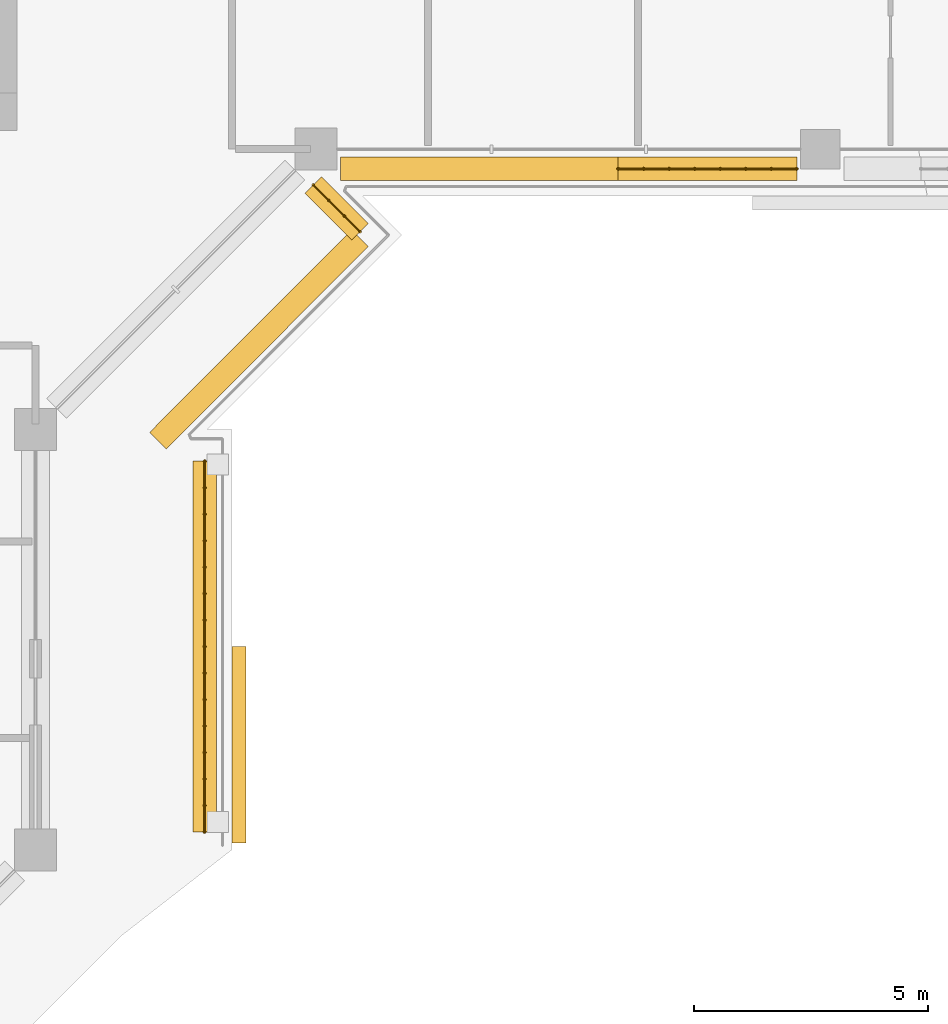
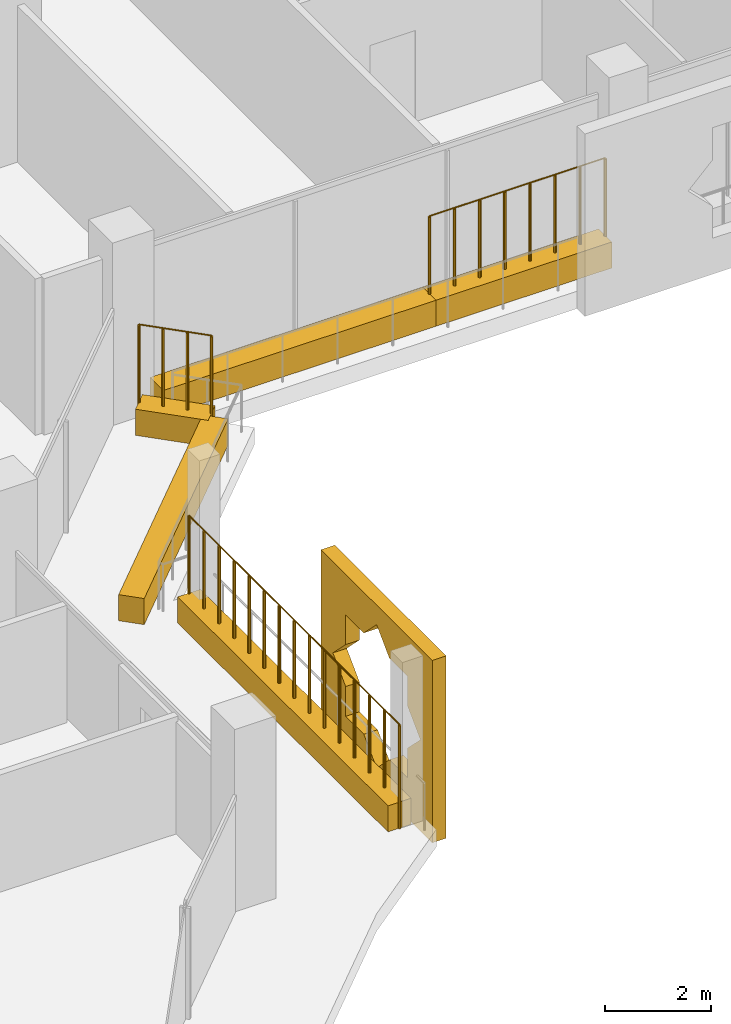
# One storey, part 16 of 21: 6 coverings, 3 railings.
"""IFC4 building model written with IfcOpenShell, lengths in metres."""

from ifc_helpers import new_model, si_unit, direction, frame, origin, origin_2d, place, context, subcontext, project, spatial, polyline, rectangle, circle, outline, extrude, material, material_profile, profile_set, type_object, element, save


model = new_model("IFC4")

# Units and contexts
model_context = context("Model", 3, precision=1e-05, world=origin(), true_north=direction((0.0, 1.0)))
body_context = subcontext(model_context, "Body", "Model", "MODEL_VIEW")
ifc_project = project(units=[si_unit("LENGTHUNIT", "METRE"), si_unit("AREAUNIT", "SQUARE_METRE"), si_unit("VOLUMEUNIT", "CUBIC_METRE"), si_unit("PLANEANGLEUNIT", "RADIAN"), si_unit("MASSUNIT", "GRAM", prefix="KILO")], contexts=[model_context])

# Site, building, storey
site_placement = place(None, origin())
site = spatial("IfcSite", under=ifc_project, at=site_placement, CompositionType="ELEMENT")
building_placement = place(site_placement, origin())
building = spatial("IfcBuilding", under=site, at=building_placement, Name="Kawkab Arch Medical Tower", CompositionType="ELEMENT")
storey_placement = place(building_placement, frame((0.0, 0.0, 260.0)))
storey = spatial("IfcBuildingStorey", under=building, at=storey_placement, Name="L60", CompositionType="ELEMENT", Elevation=260.0)

# Coverings
ifc_material_1 = material(Name="Bronze anodised aluminium mashrabiya panel, eight-point star pattern", Category="aluminium")
ifc_material_profile_1 = material_profile(ifc_material_1, outline(polyline([(-2.10009765625, -2.10009765625), (2.10009765625, -2.10009765625), (2.10009765625, 2.10009765625), (-2.10009765625, 2.10009765625), (-2.10009765625, -2.10009765625)]), holes=[polyline([(1.64990234375, 0.0), (1.166748046875, 0.4833984375), (1.166748046875, 1.166748046875), (0.4833984375, 1.166748046875), (0.0, 1.64990234375), (-0.4833984375, 1.166748046875), (-1.166748046875, 1.166748046875), (-1.166748046875, 0.4833984375), (-1.64990234375, 0.0), (-1.166748046875, -0.4833984375), (-1.166748046875, -1.166748046875), (-0.4833984375, -1.166748046875), (0.0, -1.64990234375), (0.4833984375, -1.166748046875), (1.166748046875, -1.166748046875), (1.166748046875, -0.4833984375), (1.64990234375, 0.0)])]), Name="Mashrabiya panel 4200x4200")
ifc_profile_set_1 = profile_set([ifc_material_profile_1], Name="Bronze anodised aluminium mashrabiya panel, eight-point star pattern")
covering_type_1 = type_object("IfcCoveringType", Name="Mashrabiya panel 4200 x 4200", PredefinedType="USERDEFINED", material=ifc_profile_set_1)
covering_1_placement = place(storey_placement, frame((29.39990234375, -37.94873046875, 1.699951171875), z_axis=(1.0, 0.0, 0.0), x_axis=(0.0, 1.0, 0.0)))
element("IfcCovering", 1, at=covering_1_placement, inside=storey, type_object=covering_type_1, Name="Mashrabiya panel L60.LOG-01-01.11", ObjectType="SCREEN", PredefinedType="USERDEFINED", context=body_context, shape_type="SweptSolid", body=[
    extrude(outline(polyline([(-2.10009765625, -2.10009765625), (2.10009765625, -2.10009765625), (2.10009765625, 2.10009765625), (-2.10009765625, 2.10009765625), (-2.10009765625, -2.10009765625)]), holes=[polyline([(1.64990234375, 0.0), (1.166748046875, 0.4833984375), (1.166748046875, 1.166748046875), (0.4833984375, 1.166748046875), (0.0, 1.64990234375), (-0.4833984375, 1.166748046875), (-1.166748046875, 1.166748046875), (-1.166748046875, 0.4833984375), (-1.64990234375, 0.0), (-1.166748046875, -0.4833984375), (-1.166748046875, -1.166748046875), (-0.4833984375, -1.166748046875), (0.0, -1.64990234375), (0.4833984375, -1.166748046875), (1.166748046875, -1.166748046875), (1.166748046875, -0.4833984375), (1.64990234375, 0.0)])]), origin(), (0.0, 0.0, 1.0), 0.300048828125),
])
ifc_material_2 = material(Name="Planting soil in a precast trough", Category="concrete")
ifc_material_profile_2 = material_profile(ifc_material_2, rectangle(XDim=0.5, YDim=0.60009765625, at=origin_2d()), Name="Trough 500x600")
ifc_profile_set_2 = profile_set([ifc_material_profile_2], Name="Planting soil in a precast trough")
covering_type_2 = type_object("IfcCoveringType", Name="Planter trough 500 x 600", PredefinedType="USERDEFINED", material=ifc_profile_set_2)
covering_2_placement = place(storey_placement, frame((41.4951171875, -25.6201171875, 0.300048828125), z_axis=(-1.0, 0.0, 0.0), x_axis=(0.0, -1.0, 0.0)))
element("IfcCovering", 2, at=covering_2_placement, inside=storey, type_object=covering_type_2, Name="Planter L60.LOG-01-01.35", ObjectType="PLANTER", PredefinedType="USERDEFINED", context=body_context, shape_type="SweptSolid", body=[
    extrude(rectangle(XDim=0.5, YDim=0.60009765625, at=origin_2d()), origin(), (0.0, 0.0, 1.0), 3.8251953125),
])
covering_3_placement = place(storey_placement, frame((37.669921875, -25.6201171875, 0.300048828125), z_axis=(-1.0, 0.0, 0.0), x_axis=(0.0, -1.0, 0.0)))
element("IfcCovering", 3, at=covering_3_placement, inside=storey, type_object=covering_type_2, Name="Planter L60.LOG-01-01.36", ObjectType="PLANTER", PredefinedType="USERDEFINED", context=body_context, shape_type="SweptSolid", body=[
    extrude(rectangle(XDim=0.5, YDim=0.60009765625, at=origin_2d()), origin(), (0.0, 0.0, 1.0), 5.93994140625),
])
covering_4_placement = place(storey_placement, frame((31.14306640625, -25.962890625, 0.300048828125), z_axis=(0.707020805532, -0.707192746389, 0.0), x_axis=(0.707192746389, 0.707020805532, 0.0)))
element("IfcCovering", 4, at=covering_4_placement, inside=storey, type_object=covering_type_2, Name="Planter L60.LOG-01-01.37", ObjectType="PLANTER", PredefinedType="USERDEFINED", context=body_context, shape_type="SweptSolid", body=[
    extrude(rectangle(XDim=0.5, YDim=0.60009765625, at=origin_2d()), origin(), (0.0, 0.0, 1.0), 1.419921875),
])
covering_5_placement = place(storey_placement, frame((32.14697265625, -27.10888671875, 0.300048828125), z_axis=(-0.707007043994, -0.707206504313, 0.0), x_axis=(0.707206504313, -0.707007043994, 0.0)))
element("IfcCovering", 5, at=covering_5_placement, inside=storey, type_object=covering_type_2, Name="Planter L60.LOG-01-01.38", ObjectType="PLANTER", PredefinedType="USERDEFINED", context=body_context, shape_type="SweptSolid", body=[
    extrude(rectangle(XDim=0.5, YDim=0.60009765625, at=origin_2d()), origin(), (0.0, 0.0, 1.0), 6.1201171875),
])
covering_6_placement = place(storey_placement, frame((28.820068359375, -31.8798828125, 0.300048828125), z_axis=(0.0, -1.0, 0.0), x_axis=(1.0, 0.0, 0.0)))
element("IfcCovering", 6, at=covering_6_placement, inside=storey, type_object=covering_type_2, Name="Planter L60.LOG-01-01.39", ObjectType="PLANTER", PredefinedType="USERDEFINED", context=body_context, shape_type="SweptSolid", body=[
    extrude(rectangle(XDim=0.5, YDim=0.60009765625, at=origin_2d()), origin(), (0.0, 0.0, 1.0), 7.93603515625),
])

# Railings
ifc_material_3 = material(Name="Bronze anodised aluminium trellis for climbing plants", Category="aluminium")
railing_type = type_object("IfcRailingType", Name="Planting trellis 2400", PredefinedType="USERDEFINED", material=ifc_material_3)
railing_1_placement = place(storey_placement, frame((41.4951171875, -25.6201171875, 0.0)))
element("IfcRailing", 7, at=railing_1_placement, inside=storey, type_object=railing_type, Name="Planting trellis L60.LOG-01-01.35", ObjectType="TRELLIS", PredefinedType="USERDEFINED", context=body_context, shape_type="SweptSolid", body=[
    extrude(circle(Radius=0.01513671875, at=origin_2d()), frame((0.0, 0.0, 2.384765625), z_axis=(-1.0, 0.0, 0.0), x_axis=(0.0, -1.0, 0.0)), (0.0, 0.0, 1.0), 3.8251953125),
    extrude(circle(Radius=0.030029296875, at=origin_2d()), origin(), (0.0, 0.0, 1.0), 2.369873046875),
    extrude(circle(Radius=0.030029296875, at=origin_2d()), frame((-0.54638671875, 0.0, 0.0)), (0.0, 0.0, 1.0), 2.369873046875),
    extrude(circle(Radius=0.030029296875, at=origin_2d()), frame((-1.093017578125, 0.0, 0.0)), (0.0, 0.0, 1.0), 2.369873046875),
    extrude(circle(Radius=0.030029296875, at=origin_2d()), frame((-1.639404296875, 0.0, 0.0)), (0.0, 0.0, 1.0), 2.369873046875),
    extrude(circle(Radius=0.030029296875, at=origin_2d()), frame((-2.185791015625, 0.0, 0.0)), (0.0, 0.0, 1.0), 2.369873046875),
    extrude(circle(Radius=0.030029296875, at=origin_2d()), frame((-2.732177734375, 0.0, 0.0)), (0.0, 0.0, 1.0), 2.369873046875),
    extrude(circle(Radius=0.030029296875, at=origin_2d()), frame((-3.27880859375, 0.0, 0.0)), (0.0, 0.0, 1.0), 2.369873046875),
    extrude(circle(Radius=0.030029296875, at=origin_2d()), frame((-3.8251953125, 0.0, 0.0)), (0.0, 0.0, 1.0), 2.369873046875),
])
railing_2_placement = place(storey_placement, frame((31.14306640625, -25.962890625, 0.0)))
element("IfcRailing", 8, at=railing_2_placement, inside=storey, type_object=railing_type, Name="Planting trellis L60.LOG-01-01.37", ObjectType="TRELLIS", PredefinedType="USERDEFINED", context=body_context, shape_type="SweptSolid", body=[
    extrude(circle(Radius=0.01513671875, at=origin_2d()), frame((0.0, 0.0, 2.384765625), z_axis=(0.707020805532, -0.707192746389, 0.0), x_axis=(0.707192746389, 0.707020805532, 0.0)), (0.0, 0.0, 1.0), 1.419921875),
    extrude(circle(Radius=0.030029296875, at=origin_2d()), origin(), (0.0, 0.0, 1.0), 2.369873046875),
    extrude(circle(Radius=0.030029296875, at=origin_2d()), frame((0.334716796875, -0.334716796875, 0.0)), (0.0, 0.0, 1.0), 2.369873046875),
    extrude(circle(Radius=0.030029296875, at=origin_2d()), frame((0.669189453125, -0.66943359375, 0.0)), (0.0, 0.0, 1.0), 2.369873046875),
    extrude(circle(Radius=0.030029296875, at=origin_2d()), frame((1.00390625, -1.004150390625, 0.0)), (0.0, 0.0, 1.0), 2.369873046875),
])
railing_3_placement = place(storey_placement, frame((28.820068359375, -31.8798828125, 0.0)))
element("IfcRailing", 9, at=railing_3_placement, inside=storey, type_object=railing_type, Name="Planting trellis L60.LOG-01-01.39", ObjectType="TRELLIS", PredefinedType="USERDEFINED", context=body_context, shape_type="SweptSolid", body=[
    extrude(circle(Radius=0.01513671875, at=origin_2d()), frame((0.0, 0.0, 2.384765625), z_axis=(0.0, -1.0, 0.0), x_axis=(1.0, 0.0, 0.0)), (0.0, 0.0, 1.0), 7.93603515625),
    extrude(circle(Radius=0.030029296875, at=origin_2d()), origin(), (0.0, 0.0, 1.0), 2.369873046875),
    extrude(circle(Radius=0.030029296875, at=origin_2d()), frame((0.0, -0.56689453125, 0.0)), (0.0, 0.0, 1.0), 2.369873046875),
    extrude(circle(Radius=0.030029296875, at=origin_2d()), frame((0.0, -1.1337890625, 0.0)), (0.0, 0.0, 1.0), 2.369873046875),
    extrude(circle(Radius=0.030029296875, at=origin_2d()), frame((0.0, -1.70068359375, 0.0)), (0.0, 0.0, 1.0), 2.369873046875),
    extrude(circle(Radius=0.030029296875, at=origin_2d()), frame((0.0, -2.267333984375, 0.0)), (0.0, 0.0, 1.0), 2.369873046875),
    extrude(circle(Radius=0.030029296875, at=origin_2d()), frame((0.0, -2.834228515625, 0.0)), (0.0, 0.0, 1.0), 2.369873046875),
    extrude(circle(Radius=0.030029296875, at=origin_2d()), frame((0.0, -3.401123046875, 0.0)), (0.0, 0.0, 1.0), 2.369873046875),
    extrude(circle(Radius=0.030029296875, at=origin_2d()), frame((0.0, -3.968017578125, 0.0)), (0.0, 0.0, 1.0), 2.369873046875),
    extrude(circle(Radius=0.030029296875, at=origin_2d()), frame((0.0, -4.534912109375, 0.0)), (0.0, 0.0, 1.0), 2.369873046875),
    extrude(circle(Radius=0.030029296875, at=origin_2d()), frame((0.0, -5.101806640625, 0.0)), (0.0, 0.0, 1.0), 2.369873046875),
    extrude(circle(Radius=0.030029296875, at=origin_2d()), frame((0.0, -5.668701171875, 0.0)), (0.0, 0.0, 1.0), 2.369873046875),
    extrude(circle(Radius=0.030029296875, at=origin_2d()), frame((0.0, -6.2353515625, 0.0)), (0.0, 0.0, 1.0), 2.369873046875),
    extrude(circle(Radius=0.030029296875, at=origin_2d()), frame((0.0, -6.80224609375, 0.0)), (0.0, 0.0, 1.0), 2.369873046875),
    extrude(circle(Radius=0.030029296875, at=origin_2d()), frame((0.0, -7.369140625, 0.0)), (0.0, 0.0, 1.0), 2.369873046875),
    extrude(circle(Radius=0.030029296875, at=origin_2d()), frame((0.0, -7.93603515625, 0.0)), (0.0, 0.0, 1.0), 2.369873046875),
])

save(model, "model.ifc")
